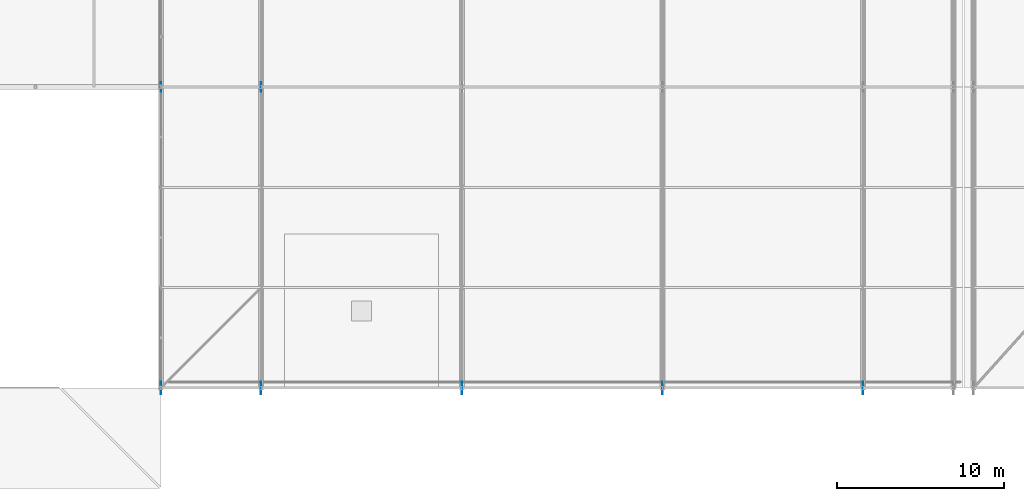
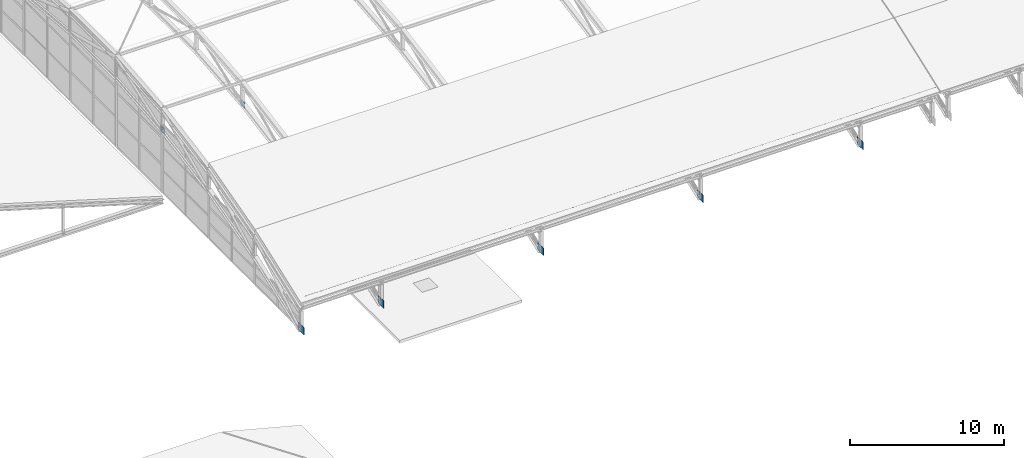
# One storey, part 171 of 204: 7 plates.
"""IFC4 building model written with IfcOpenShell, lengths in metres."""

from ifc_helpers import new_model, si_unit, direction, frame, origin, origin_2d, place, context, subcontext, project, spatial, rectangle, extrude, material, layer, layer_set, type_object, element, save


model = new_model("IFC4")

# Units and contexts
model_context = context("Model", 3, precision=1e-05, world=origin(), true_north=direction((0.0, 1.0)))
body_context = subcontext(model_context, "Body", "Model", "MODEL_VIEW")
ifc_project = project(units=[si_unit("LENGTHUNIT", "METRE"), si_unit("AREAUNIT", "SQUARE_METRE"), si_unit("VOLUMEUNIT", "CUBIC_METRE"), si_unit("PLANEANGLEUNIT", "RADIAN"), si_unit("MASSUNIT", "GRAM", prefix="KILO")], contexts=[model_context])

# Site, building, storey
site_placement = place(None, origin())
site = spatial("IfcSite", under=ifc_project, at=site_placement, CompositionType="ELEMENT")
building_placement = place(site_placement, origin())
building = spatial("IfcBuilding", under=site, at=building_placement, Name="Zilviju Railside Exhibition Hall", CompositionType="ELEMENT")
storey_placement = place(building_placement, frame((0.0, 0.0, 21.0)))
storey = spatial("IfcBuildingStorey", under=building, at=storey_placement, Name="RF", CompositionType="ELEMENT", Elevation=21.0)

# Plates
ifc_material = material(Name="Steel S355ML", Category="steel")
ifc_layer_1 = layer(ifc_material, 0.02392578125)
ifc_layer_set_1 = layer_set([ifc_layer_1], Name="Steel S355ML")
plate_type_1 = type_object("IfcPlateType", Name="PLATE-GP-24", PredefinedType="SHEET", material=ifc_layer_set_1)
for number, where, z_axis, x_axis, name in (
    (1, (78.0, 18.0, -3.072265625), (0.0, 0.0, 1.0), (1.0, 0.0, 0.0), "V1 Truss Node Gusset Plate X=78.0 N3"),
    (2, (84.0, 18.0, -3.072265625), (0.0, 0.0, 1.0), (1.0, 0.0, 0.0), "V1 Truss Node Gusset Plate X=84.0 N3"),
):
    element("IfcPlate", number, at=place(storey_placement, frame(where, z_axis=z_axis, x_axis=x_axis)), inside=storey, type_object=plate_type_1, Name=name, PredefinedType="SHEET", context=body_context, shape_type="SweptSolid", body=[
        extrude(rectangle(XDim=0.02392578125, YDim=0.550048828125, at=origin_2d()), origin(), (0.0, 0.0, 1.0), 0.5),
    ])
ifc_layer_2 = layer(ifc_material, 0.031982421875)
ifc_layer_set_2 = layer_set([ifc_layer_2], Name="Steel S355ML")
plate_type_2 = type_object("IfcPlateType", Name="PLATE-GP-32", PredefinedType="SHEET", material=ifc_layer_set_2)
for number, where, z_axis, x_axis, name in (
    (3, (78.0, 0.0, -7.949951171875), (0.0, 0.0, 1.0), (1.0, 0.0, 0.0), "V1 Arch Pin-Shoe Gusset Plate X=78.0"),
    (4, (84.0, 0.0, -7.949951171875), (0.0, 0.0, 1.0), (1.0, 0.0, 0.0), "V1 Arch Pin-Shoe Gusset Plate X=84.0"),
    (5, (96.0, 0.0, -7.949951171875), (0.0, 0.0, 1.0), (1.0, 0.0, 0.0), "V1 Arch Pin-Shoe Gusset Plate X=96.0"),
    (6, (108.0, 0.0, -7.949951171875), (0.0, 0.0, 1.0), (1.0, 0.0, 0.0), "V1 Arch Pin-Shoe Gusset Plate X=108.0"),
    (7, (120.0, 0.0, -7.949951171875), (0.0, 0.0, 1.0), (1.0, 0.0, 0.0), "V1 Arch Pin-Shoe Gusset Plate X=120.0"),
):
    element("IfcPlate", number, at=place(storey_placement, frame(where, z_axis=z_axis, x_axis=x_axis)), inside=storey, type_object=plate_type_2, Name=name, PredefinedType="SHEET", context=body_context, shape_type="SweptSolid", body=[
        extrude(rectangle(XDim=0.031982421875, YDim=0.75, at=origin_2d()), origin(), (0.0, 0.0, 1.0), 0.60009765625),
    ])

save(model, "model.ifc")
